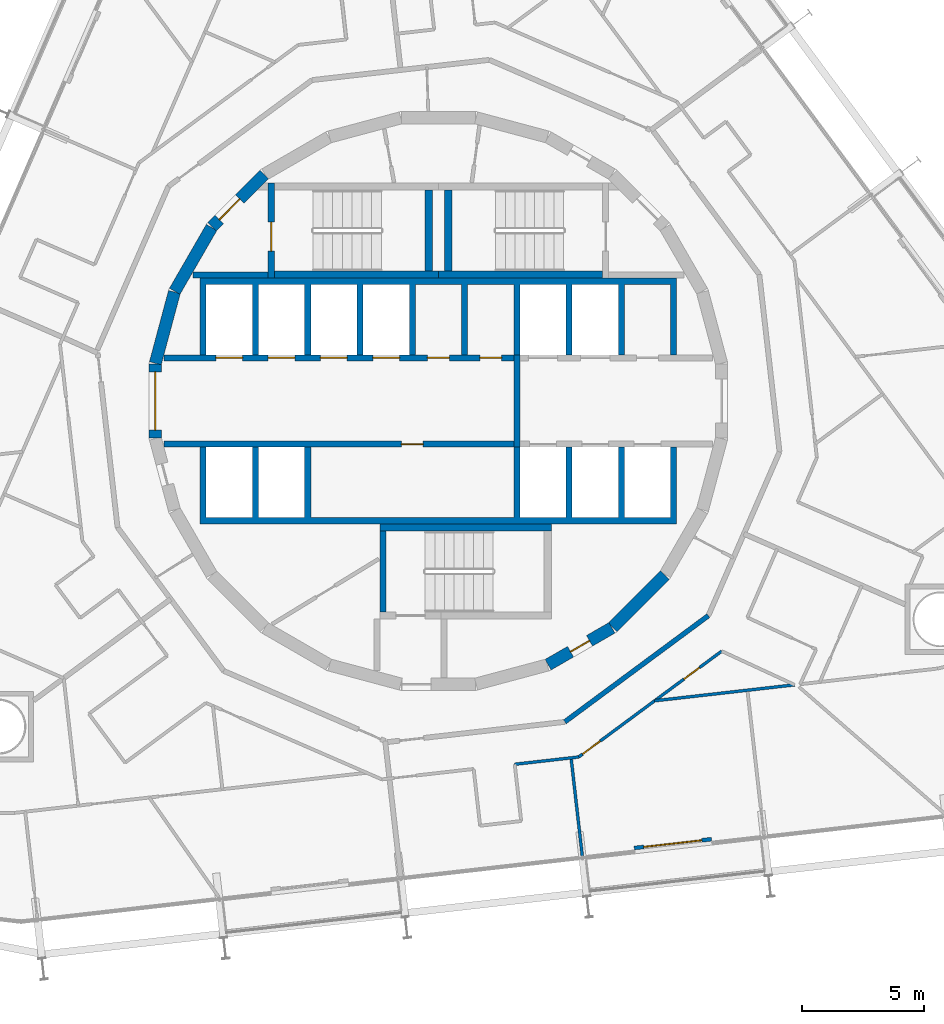
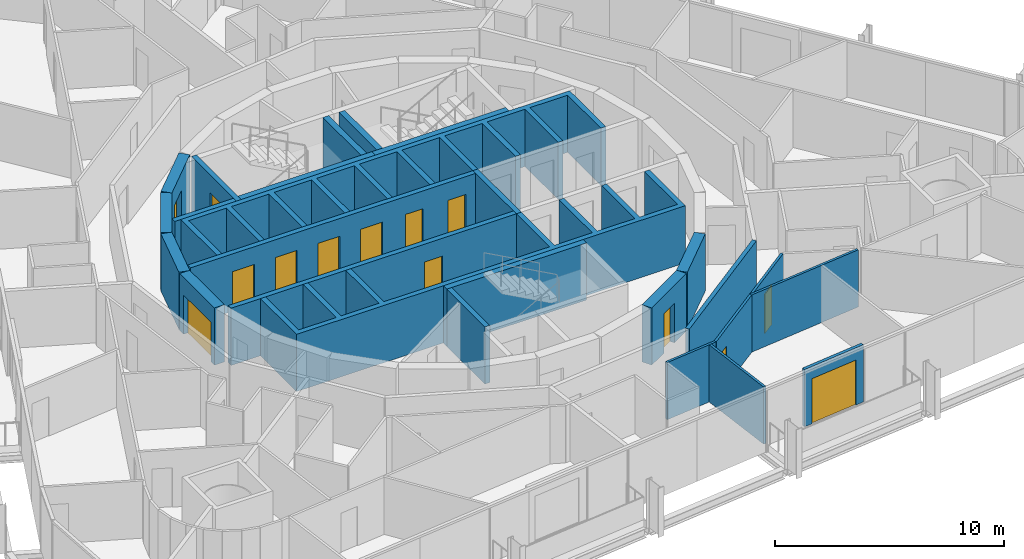
# One storey, part 18 of 23: 25 walls, 14 doors, 14 openings.
"""IFC4 building model written with IfcOpenShell, lengths in metres."""

from ifc_helpers import new_model, si_unit, direction, frame, frame_2d, origin, place, context, subcontext, project, spatial, polyline, rectangle, outline, extrude, material, layer, layer_set, type_object, element, fill, save


model = new_model("IFC4")

# Units and contexts
model_context = context("Model", 3, precision=1e-05, world=origin(), true_north=direction((0.0, 1.0)))
body_context = subcontext(model_context, "Body", "Model", "MODEL_VIEW")
ifc_project = project(units=[si_unit("LENGTHUNIT", "METRE"), si_unit("AREAUNIT", "SQUARE_METRE"), si_unit("VOLUMEUNIT", "CUBIC_METRE"), si_unit("PLANEANGLEUNIT", "RADIAN"), si_unit("MASSUNIT", "GRAM", prefix="KILO")], contexts=[model_context])

# Site, building, storey
site_placement = place(None, origin())
site = spatial("IfcSite", under=ifc_project, at=site_placement, CompositionType="ELEMENT")
building_placement = place(site_placement, origin())
building = spatial("IfcBuilding", under=site, at=building_placement, Name="Spindle Arch Residences", CompositionType="ELEMENT")
storey_placement = place(building_placement, frame((0.0, 0.0, 104.699951171875)))
storey = spatial("IfcBuildingStorey", under=building, at=storey_placement, Name="L25", CompositionType="ELEMENT", Elevation=104.699951171875)

# Wall, opening, door
ifc_material_1 = material(Name="Concrete C50/60", Category="concrete")
ifc_layer_1 = layer(ifc_material_1, 0.5)
ifc_layer_set_1 = layer_set([ifc_layer_1], Name="Core outline wall 500")
wall_type_1 = type_object("IfcWallType", Name="Core outline wall 500", PredefinedType="SHEAR", material=ifc_layer_set_1)
wall_1_placement = place(storey_placement, frame((4.510498046875, -10.84521484375, 0.0), z_axis=(0.0, 0.0, 1.0), x_axis=(0.865975092491, 0.500087131594, 0.0)))
wall_1 = element("IfcWall", 1, at=wall_1_placement, inside=storey, type_object=wall_type_1, Name="Core outline wall 2", PredefinedType="SHEAR", context=body_context, shape_type="SweptSolid", body=[
    extrude(rectangle(XDim=3.03271484375, YDim=0.5, at=frame_2d((1.516357421875, 0.0))), origin(), (0.0, 0.0, 1.0), 3.050048828125),
])
opening_1_placement = place(wall_1_placement, frame((1.06640625, 0.0, 0.0)))
opening_1 = element("IfcOpeningElement", 2, at=opening_1_placement, cuts=wall_1, Name="Opening R2C0-WD08", PredefinedType="OPENING", context=body_context, shape_type="SweptSolid", body=[
    extrude(rectangle(XDim=0.89990234375, YDim=2.10009765625, at=frame_2d((0.449951171875, 1.050048828125))), frame((0.0, 0.260009765625, 0.0), z_axis=(0.0, -1.0, 0.0), x_axis=(1.0, 0.0, 0.0)), (0.0, 0.0, 1.0), 0.52001953125),
])
ifc_material_2 = material(Name="Steel, fire-resisting door", Category="steel")
door_type_1 = type_object("IfcDoorType", Name="Service room door 900x2100", OperationType="SINGLE_SWING_LEFT", PredefinedType="DOOR", material=ifc_material_2)
door_1_placement = place(opening_1_placement, origin())
door_1 = element("IfcDoor", 3, at=door_1_placement, inside=storey, type_object=door_type_1, Name="Service room door R2C0-WD08", OperationType="SINGLE_SWING_LEFT", OverallHeight=2.10009765625, OverallWidth=0.89990234375, PredefinedType="DOOR", context=body_context, shape_type="SweptSolid", body=[
    extrude(rectangle(XDim=0.89990234375, YDim=2.10009765625, at=frame_2d((0.449951171875, 1.050048828125))), frame((0.0, 0.02490234375, 0.0), z_axis=(0.0, -1.0, 0.0), x_axis=(1.0, 0.0, 0.0)), (0.0, 0.0, 1.0), 0.050048828125),
])
fill(opening_1, door_1)

# Wall
wall_2_placement = place(storey_placement, frame((7.163818359375, -9.30810546875, 0.0), z_axis=(0.0, 0.0, 1.0), x_axis=(0.707106781187, 0.707106781187, 0.0)))
element("IfcWall", 4, at=wall_2_placement, inside=storey, type_object=wall_type_1, Name="Core outline wall 3", PredefinedType="SHEAR", context=body_context, shape_type="SweptSolid", body=[
    extrude(rectangle(XDim=3.032470703125, YDim=0.5, at=frame_2d((1.51611328125, 0.0))), origin(), (0.0, 0.0, 1.0), 3.050048828125),
])

# Wall, opening, door
wall_3_placement = place(storey_placement, frame((-7.163818359375, 9.30810546875, 0.0), z_axis=(0.0, 0.0, 1.0), x_axis=(-0.707106781187, -0.707106781187, 0.0)))
wall_3 = element("IfcWall", 5, at=wall_3_placement, inside=storey, type_object=wall_type_1, Name="Core outline wall 15", PredefinedType="SHEAR", context=body_context, shape_type="SweptSolid", body=[
    extrude(rectangle(XDim=3.032470703125, YDim=0.5, at=frame_2d((1.51611328125, 0.0))), origin(), (0.0, 0.0, 1.0), 3.050048828125),
])
opening_2_placement = place(wall_3_placement, frame((1.416259765625, 0.0, 0.0)))
opening_2 = element("IfcOpeningElement", 6, at=opening_2_placement, cuts=wall_3, Name="Opening R2C0-AD02", PredefinedType="OPENING", context=body_context, shape_type="SweptSolid", body=[
    extrude(rectangle(XDim=1.199951171875, YDim=2.10009765625, at=frame_2d((0.60009765625, 1.050048828125))), frame((0.0, 0.260009765625, 0.0), z_axis=(0.0, -1.0, 0.0), x_axis=(1.0, 0.0, 0.0)), (0.0, 0.0, 1.0), 0.52001953125),
])
ifc_material_3 = material(Name="Steel, fire-resisting door", Category="steel")
door_type_2 = type_object("IfcDoorType", Name="Stair airlock door 1200x2100", OperationType="SINGLE_SWING_LEFT", PredefinedType="DOOR", material=ifc_material_3)
door_2_placement = place(opening_2_placement, origin())
door_2 = element("IfcDoor", 7, at=door_2_placement, inside=storey, type_object=door_type_2, Name="Stair airlock door R2C0-AD02", OperationType="SINGLE_SWING_RIGHT", OverallHeight=2.10009765625, OverallWidth=1.199951171875, PredefinedType="DOOR", context=body_context, shape_type="SweptSolid", body=[
    extrude(rectangle(XDim=1.199951171875, YDim=2.10009765625, at=frame_2d((0.60009765625, 1.050048828125))), frame((0.0, 0.02490234375, 0.0), z_axis=(0.0, -1.0, 0.0), x_axis=(1.0, 0.0, 0.0)), (0.0, 0.0, 1.0), 0.050048828125),
])
fill(opening_2, door_2)

# Walls
for number, where, z_axis, x_axis, name in (
    (8, (-9.32861328125, 7.13671875, 0.0), (0.0, 0.0, 1.0), (-0.500087131594, -0.865975092491, 0.0), "Core outline wall 16"),
    (9, (-10.858154296875, 4.479248046875, 0.0), (0.0, 0.0, 1.0), (-0.258734743916, -0.965948410781, 0.0), "Core outline wall 17"),
):
    element("IfcWall", number, at=place(storey_placement, frame(where, z_axis=z_axis, x_axis=x_axis)), inside=storey, type_object=wall_type_1, Name=name, PredefinedType="SHEAR", context=body_context, shape_type="SweptSolid", body=[
        extrude(rectangle(XDim=3.03271484375, YDim=0.5, at=frame_2d((1.516357421875, 0.0))), origin(), (0.0, 0.0, 1.0), 3.050048828125),
    ])

# Wall, opening, door
wall_4_placement = place(storey_placement, frame((-11.647216796875, 1.516357421875, 0.0), z_axis=(0.0, 0.0, 1.0), x_axis=(0.0, -1.0, 0.0)))
wall_4 = element("IfcWall", 10, at=wall_4_placement, inside=storey, type_object=wall_type_1, Name="Core outline wall 18", PredefinedType="SHEAR", context=body_context, shape_type="SweptSolid", body=[
    extrude(rectangle(XDim=3.03271484375, YDim=0.5, at=frame_2d((1.516357421875, 0.0))), origin(), (0.0, 0.0, 1.0), 3.050048828125),
])
opening_3_placement = place(wall_4_placement, frame((0.31640625, 0.0, 0.0)))
opening_3 = element("IfcOpeningElement", 11, at=opening_3_placement, cuts=wall_4, Name="Opening R2C0-LE01", PredefinedType="OPENING", context=body_context, shape_type="SweptSolid", body=[
    extrude(rectangle(XDim=2.39990234375, YDim=2.10009765625, at=frame_2d((1.199951171875, 1.050048828125))), frame((0.0, 0.260009765625, 0.0), z_axis=(0.0, -1.0, 0.0), x_axis=(1.0, 0.0, 0.0)), (0.0, 0.0, 1.0), 0.52001953125),
])
ifc_material_4 = material(Name="Steel, fire-resisting door", Category="steel")
door_type_3 = type_object("IfcDoorType", Name="Lift lobby entrance door 2400x2100", OperationType="DOUBLE_DOOR_SINGLE_SWING", PredefinedType="DOOR", material=ifc_material_4)
door_3_placement = place(opening_3_placement, origin())
door_3 = element("IfcDoor", 12, at=door_3_placement, inside=storey, type_object=door_type_3, Name="Lift lobby entrance door R2C0-LE01", OperationType="DOUBLE_DOOR_SINGLE_SWING", OverallHeight=2.10009765625, OverallWidth=2.39990234375, PredefinedType="DOOR", context=body_context, shape_type="SweptSolid", body=[
    extrude(rectangle(XDim=2.39990234375, YDim=2.10009765625, at=frame_2d((1.199951171875, 1.050048828125))), frame((0.0, 0.02490234375, 0.0), z_axis=(0.0, -1.0, 0.0), x_axis=(1.0, 0.0, 0.0)), (0.0, 0.0, 1.0), 0.050048828125),
])
fill(opening_3, door_3)

# Walls
ifc_material_5 = material(Name="Calcium silicate block, plastered")
ifc_layer_2 = layer(ifc_material_5, 0.199951171875)
ifc_layer_set_2 = layer_set([ifc_layer_2], Name="Corridor wall 200")
wall_type_2 = type_object("IfcWallType", Name="Corridor wall 200", PredefinedType="STANDARD", material=ifc_layer_set_2)
wall_5_placement = place(storey_placement, frame((5.1982421875, -13.1962890625, 0.0), z_axis=(0.0, 0.0, 1.0), x_axis=(0.803869883159, 0.594805187394, 0.0)))
element("IfcWall", 13, at=wall_5_placement, inside=storey, type_object=wall_type_2, Name="Corridor wall R2C0-W015", PredefinedType="STANDARD", context=body_context, shape_type="SweptSolid", body=[
    extrude(rectangle(XDim=7.341796875, YDim=0.199951171875, at=frame_2d((3.6708984375, 0.0))), origin(), (0.0, 0.0, 1.0), 3.050048828125),
])
ifc_material_6 = material(Name="Concrete C40/50", Category="concrete")
ifc_layer_3 = layer(ifc_material_6, 0.25)
ifc_layer_set_3 = layer_set([ifc_layer_3], Name="Fire-lift lobby wall 250")
wall_type_3 = type_object("IfcWallType", Name="Fire-lift lobby wall 250", PredefinedType="SHEAR", material=ifc_layer_set_3)
wall_6_placement = place(storey_placement, frame((3.22509765625, -1.89990234375, 0.0), z_axis=(0.0, 0.0, 1.0), x_axis=(0.0, 1.0, 0.0)))
element("IfcWall", 14, at=wall_6_placement, inside=storey, type_object=wall_type_3, Name="Fire-fighting lobby partition", PredefinedType="SHEAR", context=body_context, shape_type="SweptSolid", body=[
    extrude(rectangle(XDim=3.7998046875, YDim=0.25, at=frame_2d((1.89990234375, 0.0))), origin(), (0.0, 0.0, 1.0), 3.050048828125),
])
ifc_material_7 = material(Name="Plasterboard on steel studs", Category="steel")
ifc_layer_4 = layer(ifc_material_7, 0.1201171875)
ifc_layer_set_4 = layer_set([ifc_layer_4], Name="Flat partition 120")
wall_type_4 = type_object("IfcWallType", Name="Flat partition 120", PredefinedType="PARTITIONING", material=ifc_layer_set_4)
wall_7_placement = place(storey_placement, frame((3.1376953125, -14.94091796875, 0.0), z_axis=(0.0, 0.0, 1.0), x_axis=(0.99356355736, 0.113276023437, 0.0)))
element("IfcWall", 15, at=wall_7_placement, inside=storey, type_object=wall_type_4, Name="Flat partition R2C0-W116", PredefinedType="PARTITIONING", context=body_context, shape_type="SweptSolid", body=[
    extrude(rectangle(XDim=2.646728515625, YDim=0.1201171875, at=frame_2d((1.3232421875, 0.0))), origin(), (0.0, 0.0, 1.0), 3.050048828125),
])

# Wall, openings, doors
wall_8_placement = place(storey_placement, frame((5.767333984375, -14.64111328125, 0.0), z_axis=(0.0, 0.0, 1.0), x_axis=(0.803867427863, 0.594808505673, 0.0)))
wall_8 = element("IfcWall", 16, at=wall_8_placement, inside=storey, type_object=wall_type_4, Name="Flat partition R2C0-W117", PredefinedType="PARTITIONING", context=body_context, shape_type="SweptSolid", body=[
    extrude(rectangle(XDim=7.31640625, YDim=0.1201171875, at=frame_2d((3.658203125, 0.0))), origin(), (0.0, 0.0, 1.0), 3.050048828125),
])
opening_4_placement = place(wall_8_placement, frame((0.199951171875, 0.0, 0.0)))
opening_4 = element("IfcOpeningElement", 17, at=opening_4_placement, cuts=wall_8, Name="Opening R2C0-ID33", PredefinedType="OPENING", context=body_context, shape_type="SweptSolid", body=[
    extrude(rectangle(XDim=0.89990234375, YDim=2.10009765625, at=frame_2d((0.449951171875, 1.050048828125))), frame((0.0, 0.070068359375, 0.0), z_axis=(0.0, -1.0, 0.0), x_axis=(1.0, 0.0, 0.0)), (0.0, 0.0, 1.0), 0.14013671875),
])
opening_5_placement = place(wall_8_placement, frame((5.385009765625, 0.0, 0.0)))
opening_5 = element("IfcOpeningElement", 18, at=opening_5_placement, cuts=wall_8, Name="Opening R2C0-BD06", PredefinedType="OPENING", context=body_context, shape_type="SweptSolid", body=[
    extrude(rectangle(XDim=0.800048828125, YDim=2.10009765625, at=frame_2d((0.39990234375, 1.050048828125))), frame((0.0, 0.070068359375, 0.0), z_axis=(0.0, -1.0, 0.0), x_axis=(1.0, 0.0, 0.0)), (0.0, 0.0, 1.0), 0.14013671875),
])
ifc_material_8 = material(Name="Timber door set", Category="wood")
door_type_4 = type_object("IfcDoorType", Name="Bathroom door 800x2100", OperationType="NOTDEFINED", PredefinedType="DOOR", material=ifc_material_8)
door_4_placement = place(opening_5_placement, origin())
door_4 = element("IfcDoor", 19, at=door_4_placement, inside=storey, type_object=door_type_4, Name="Bathroom door R2C0-BD06", OperationType="SINGLE_SWING_RIGHT", OverallHeight=2.10009765625, OverallWidth=0.800048828125, PredefinedType="DOOR", context=body_context, shape_type="SweptSolid", body=[
    extrude(rectangle(XDim=0.800048828125, YDim=2.10009765625, at=frame_2d((0.39990234375, 1.050048828125))), frame((0.0, 0.02490234375, 0.0), z_axis=(0.0, -1.0, 0.0), x_axis=(1.0, 0.0, 0.0)), (0.0, 0.0, 1.0), 0.050048828125),
])
fill(opening_5, door_4)
ifc_material_9 = material(Name="Timber door set", Category="wood")
door_type_5 = type_object("IfcDoorType", Name="Room door 900x2100", OperationType="NOTDEFINED", PredefinedType="DOOR", material=ifc_material_9)
door_5_placement = place(opening_4_placement, origin())
door_5 = element("IfcDoor", 20, at=door_5_placement, inside=storey, type_object=door_type_5, Name="Room door R2C0-ID33", OperationType="SINGLE_SWING_RIGHT", OverallHeight=2.10009765625, OverallWidth=0.89990234375, PredefinedType="DOOR", context=body_context, shape_type="SweptSolid", body=[
    extrude(rectangle(XDim=0.89990234375, YDim=2.10009765625, at=frame_2d((0.449951171875, 1.050048828125))), frame((0.0, 0.02490234375, 0.0), z_axis=(0.0, -1.0, 0.0), x_axis=(1.0, 0.0, 0.0)), (0.0, 0.0, 1.0), 0.050048828125),
])
fill(opening_4, door_5)

# Walls
wall_9_placement = place(storey_placement, frame((5.915283203125, -18.7080078125, 0.0), z_axis=(0.0, 0.0, 1.0), x_axis=(-0.113244511591, 0.993567149515, 0.0)))
element("IfcWall", 21, at=wall_9_placement, inside=storey, type_object=wall_type_4, Name="Flat partition R2C0-W122", PredefinedType="PARTITIONING", context=body_context, shape_type="SweptSolid", body=[
    extrude(rectangle(XDim=4.057373046875, YDim=0.1201171875, at=frame_2d((2.02880859375, 0.0))), origin(), (0.0, 0.0, 1.0), 3.050048828125),
])
wall_10_placement = place(storey_placement, frame((14.64892578125, -11.67431640625, 0.0), z_axis=(0.0, 0.0, 1.0), x_axis=(-0.993573746873, -0.113186613721, 0.0)))
element("IfcWall", 22, at=wall_10_placement, inside=storey, type_object=wall_type_4, Name="Flat partition R2C0-W123", PredefinedType="PARTITIONING", context=body_context, shape_type="SweptSolid", body=[
    extrude(rectangle(XDim=5.7958984375, YDim=0.1201171875, at=frame_2d((2.89794921875, 0.0))), origin(), (0.0, 0.0, 1.0), 3.050048828125),
])

# Wall, opening, door
ifc_material_10 = material(Name="Non-combustible mineral wool insulated aluminium faced external wall (K0)", Category="aluminium")
ifc_layer_5 = layer(ifc_material_10, 0.159912109375)
ifc_layer_set_5 = layer_set([ifc_layer_5], Name="Insulated external wall panel 160")
wall_type_5 = type_object("IfcWallType", Name="Insulated external wall panel 160", PredefinedType="STANDARD", material=ifc_layer_set_5)
wall_11_placement = place(storey_placement, frame((8.0517578125, -18.38427734375, 0.0), z_axis=(0.0, 0.0, 1.0), x_axis=(0.993569997097, 0.113219525124, 0.0)))
wall_11 = element("IfcWall", 23, at=wall_11_placement, inside=storey, type_object=wall_type_5, Name="External wall L25 bay 1", PredefinedType="STANDARD", context=body_context, shape_type="SweptSolid", body=[
    extrude(rectangle(XDim=3.199951171875, YDim=0.159912109375, at=frame_2d((1.60009765625, 0.0))), origin(), (0.0, 0.0, 1.0), 3.050048828125),
])
opening_6_placement = place(wall_11_placement, frame((0.39990234375, 0.0, 0.0)))
opening_6 = element("IfcOpeningElement", 24, at=opening_6_placement, cuts=wall_11, Name="Opening BD01", PredefinedType="OPENING", context=body_context, shape_type="SweptSolid", body=[
    extrude(rectangle(XDim=2.39990234375, YDim=2.39990234375, at=frame_2d((1.199951171875, 1.199951171875))), frame((0.0, 0.08984375, 0.0), z_axis=(0.0, -1.0, 0.0), x_axis=(1.0, 0.0, 0.0)), (0.0, 0.0, 1.0), 0.179931640625),
])
ifc_material_11 = material(Name="Bronze aluminium frame, tinted double glazing", Category="aluminium")
door_type_6 = type_object("IfcDoorType", Name="Sliding glazed balcony door 2400x2400", OperationType="DOUBLE_DOOR_SLIDING", PredefinedType="DOOR", material=ifc_material_11)
door_6_placement = place(opening_6_placement, origin())
door_6 = element("IfcDoor", 25, at=door_6_placement, inside=storey, type_object=door_type_6, Name="Balcony door BD01", OperationType="DOUBLE_DOOR_SLIDING", OverallHeight=2.39990234375, OverallWidth=2.39990234375, PredefinedType="DOOR", context=body_context, shape_type="SweptSolid", body=[
    extrude(rectangle(XDim=2.39990234375, YDim=2.39990234375, at=frame_2d((1.199951171875, 1.199951171875))), frame((0.0, 0.02490234375, 0.0), z_axis=(0.0, -1.0, 0.0), x_axis=(1.0, 0.0, 0.0)), (0.0, 0.0, 1.0), 0.050048828125),
])
fill(opening_6, door_6)

# Wall, openings, doors
ifc_material_12 = material(Name="Concrete C50/60", Category="concrete")
ifc_layer_6 = layer(ifc_material_12, 0.25)
ifc_layer_set_6 = layer_set([ifc_layer_6], Name="Lift shaft wall 250")
wall_type_6 = type_object("IfcWallType", Name="Lift shaft wall 250", PredefinedType="SHEAR", material=ifc_layer_set_6)
wall_12_placement = place(storey_placement, frame((-11.280029296875, 1.77490234375, 0.0), z_axis=(0.0, 0.0, 1.0), x_axis=(1.0, 0.0, 0.0)))
wall_12 = element("IfcWall", 26, at=wall_12_placement, inside=storey, type_object=wall_type_6, Name="Lift shaft front wall NW", PredefinedType="SHEAR", context=body_context, shape_type="SweptSolid", body=[
    extrude(rectangle(XDim=14.380126953125, YDim=0.25, at=frame_2d((7.18994140625, 0.0))), origin(), (0.0, 0.0, 1.0), 3.050048828125),
])
opening_7_placement = place(wall_12_placement, frame((2.1298828125, 0.0, 0.0)))
opening_7 = element("IfcOpeningElement", 27, at=opening_7_placement, cuts=wall_12, Name="Opening R2C0-LD01", PredefinedType="OPENING", context=body_context, shape_type="SweptSolid", body=[
    extrude(rectangle(XDim=1.10009765625, YDim=2.10009765625, at=frame_2d((0.550048828125, 1.050048828125))), frame((0.0, 0.135009765625, 0.0), z_axis=(0.0, -1.0, 0.0), x_axis=(1.0, 0.0, 0.0)), (0.0, 0.0, 1.0), 0.27001953125),
])
opening_8_placement = place(wall_12_placement, frame((4.280029296875, 0.0, 0.0)))
opening_8 = element("IfcOpeningElement", 28, at=opening_8_placement, cuts=wall_12, Name="Opening R2C0-LD02", PredefinedType="OPENING", context=body_context, shape_type="SweptSolid", body=[
    extrude(rectangle(XDim=1.10009765625, YDim=2.10009765625, at=frame_2d((0.550048828125, 1.050048828125))), frame((0.0, 0.135009765625, 0.0), z_axis=(0.0, -1.0, 0.0), x_axis=(1.0, 0.0, 0.0)), (0.0, 0.0, 1.0), 0.27001953125),
])
opening_9_placement = place(wall_12_placement, frame((6.429931640625, 0.0, 0.0)))
opening_9 = element("IfcOpeningElement", 29, at=opening_9_placement, cuts=wall_12, Name="Opening R2C0-LD03", PredefinedType="OPENING", context=body_context, shape_type="SweptSolid", body=[
    extrude(rectangle(XDim=1.10009765625, YDim=2.10009765625, at=frame_2d((0.550048828125, 1.050048828125))), frame((0.0, 0.135009765625, 0.0), z_axis=(0.0, -1.0, 0.0), x_axis=(1.0, 0.0, 0.0)), (0.0, 0.0, 1.0), 0.27001953125),
])
opening_10_placement = place(wall_12_placement, frame((8.580078125, 0.0, 0.0)))
opening_10 = element("IfcOpeningElement", 30, at=opening_10_placement, cuts=wall_12, Name="Opening R2C0-LD04", PredefinedType="OPENING", context=body_context, shape_type="SweptSolid", body=[
    extrude(rectangle(XDim=1.10009765625, YDim=2.10009765625, at=frame_2d((0.550048828125, 1.050048828125))), frame((0.0, 0.135009765625, 0.0), z_axis=(0.0, -1.0, 0.0), x_axis=(1.0, 0.0, 0.0)), (0.0, 0.0, 1.0), 0.27001953125),
])
opening_11_placement = place(wall_12_placement, frame((10.830078125, 0.0, 0.0)))
opening_11 = element("IfcOpeningElement", 31, at=opening_11_placement, cuts=wall_12, Name="Opening R2C0-WD01", PredefinedType="OPENING", context=body_context, shape_type="SweptSolid", body=[
    extrude(rectangle(XDim=0.89990234375, YDim=2.10009765625, at=frame_2d((0.449951171875, 1.050048828125))), frame((0.0, 0.135009765625, 0.0), z_axis=(0.0, -1.0, 0.0), x_axis=(1.0, 0.0, 0.0)), (0.0, 0.0, 1.0), 0.27001953125),
])
opening_12_placement = place(wall_12_placement, frame((12.97998046875, 0.0, 0.0)))
opening_12 = element("IfcOpeningElement", 32, at=opening_12_placement, cuts=wall_12, Name="Opening R2C0-WD02", PredefinedType="OPENING", context=body_context, shape_type="SweptSolid", body=[
    extrude(rectangle(XDim=0.89990234375, YDim=2.10009765625, at=frame_2d((0.449951171875, 1.050048828125))), frame((0.0, 0.135009765625, 0.0), z_axis=(0.0, -1.0, 0.0), x_axis=(1.0, 0.0, 0.0)), (0.0, 0.0, 1.0), 0.27001953125),
])
ifc_material_13 = material(Name="Steel, fire-resisting landing door", Category="steel")
door_type_7 = type_object("IfcDoorType", Name="Lift landing door 1100x2100", OperationType="DOUBLE_DOOR_SLIDING", PredefinedType="DOOR", material=ifc_material_13)
door_7_placement = place(opening_7_placement, origin())
door_7 = element("IfcDoor", 33, at=door_7_placement, inside=storey, type_object=door_type_7, Name="Lift landing door R2C0-LD01", OperationType="DOUBLE_DOOR_SLIDING", OverallHeight=2.10009765625, OverallWidth=1.10009765625, PredefinedType="DOOR", context=body_context, shape_type="SweptSolid", body=[
    extrude(rectangle(XDim=1.10009765625, YDim=2.10009765625, at=frame_2d((0.550048828125, 1.050048828125))), frame((0.0, 0.02490234375, 0.0), z_axis=(0.0, -1.0, 0.0), x_axis=(1.0, 0.0, 0.0)), (0.0, 0.0, 1.0), 0.050048828125),
])
fill(opening_7, door_7)
door_8_placement = place(opening_8_placement, origin())
door_8 = element("IfcDoor", 34, at=door_8_placement, inside=storey, type_object=door_type_7, Name="Lift landing door R2C0-LD02", OperationType="DOUBLE_DOOR_SLIDING", OverallHeight=2.10009765625, OverallWidth=1.10009765625, PredefinedType="DOOR", context=body_context, shape_type="SweptSolid", body=[
    extrude(rectangle(XDim=1.10009765625, YDim=2.10009765625, at=frame_2d((0.550048828125, 1.050048828125))), frame((0.0, 0.02490234375, 0.0), z_axis=(0.0, -1.0, 0.0), x_axis=(1.0, 0.0, 0.0)), (0.0, 0.0, 1.0), 0.050048828125),
])
fill(opening_8, door_8)
door_9_placement = place(opening_9_placement, origin())
door_9 = element("IfcDoor", 35, at=door_9_placement, inside=storey, type_object=door_type_7, Name="Lift landing door R2C0-LD03", OperationType="DOUBLE_DOOR_SLIDING", OverallHeight=2.10009765625, OverallWidth=1.10009765625, PredefinedType="DOOR", context=body_context, shape_type="SweptSolid", body=[
    extrude(rectangle(XDim=1.10009765625, YDim=2.10009765625, at=frame_2d((0.550048828125, 1.050048828125))), frame((0.0, 0.02490234375, 0.0), z_axis=(0.0, -1.0, 0.0), x_axis=(1.0, 0.0, 0.0)), (0.0, 0.0, 1.0), 0.050048828125),
])
fill(opening_9, door_9)
door_10_placement = place(opening_10_placement, origin())
door_10 = element("IfcDoor", 36, at=door_10_placement, inside=storey, type_object=door_type_7, Name="Lift landing door R2C0-LD04", OperationType="DOUBLE_DOOR_SLIDING", OverallHeight=2.10009765625, OverallWidth=1.10009765625, PredefinedType="DOOR", context=body_context, shape_type="SweptSolid", body=[
    extrude(rectangle(XDim=1.10009765625, YDim=2.10009765625, at=frame_2d((0.550048828125, 1.050048828125))), frame((0.0, 0.02490234375, 0.0), z_axis=(0.0, -1.0, 0.0), x_axis=(1.0, 0.0, 0.0)), (0.0, 0.0, 1.0), 0.050048828125),
])
fill(opening_10, door_10)
door_11_placement = place(opening_11_placement, origin())
door_11 = element("IfcDoor", 37, at=door_11_placement, inside=storey, type_object=door_type_1, Name="Service room door R2C0-WD01", OperationType="SINGLE_SWING_RIGHT", OverallHeight=2.10009765625, OverallWidth=0.89990234375, PredefinedType="DOOR", context=body_context, shape_type="SweptSolid", body=[
    extrude(rectangle(XDim=0.89990234375, YDim=2.10009765625, at=frame_2d((0.449951171875, 1.050048828125))), frame((0.0, 0.02490234375, 0.0), z_axis=(0.0, -1.0, 0.0), x_axis=(1.0, 0.0, 0.0)), (0.0, 0.0, 1.0), 0.050048828125),
])
fill(opening_11, door_11)
door_12_placement = place(opening_12_placement, origin())
door_12 = element("IfcDoor", 38, at=door_12_placement, inside=storey, type_object=door_type_1, Name="Service room door R2C0-WD02", OperationType="SINGLE_SWING_LEFT", OverallHeight=2.10009765625, OverallWidth=0.89990234375, PredefinedType="DOOR", context=body_context, shape_type="SweptSolid", body=[
    extrude(rectangle(XDim=0.89990234375, YDim=2.10009765625, at=frame_2d((0.449951171875, 1.050048828125))), frame((0.0, 0.02490234375, 0.0), z_axis=(0.0, -1.0, 0.0), x_axis=(1.0, 0.0, 0.0)), (0.0, 0.0, 1.0), 0.050048828125),
])
fill(opening_12, door_12)

# Wall, opening, door
wall_13_placement = place(storey_placement, frame((-11.280029296875, -1.77490234375, 0.0), z_axis=(0.0, 0.0, 1.0), x_axis=(1.0, 0.0, 0.0)))
wall_13 = element("IfcWall", 39, at=wall_13_placement, inside=storey, type_object=wall_type_6, Name="Lift shaft front wall SW", PredefinedType="SHEAR", context=body_context, shape_type="SweptSolid", body=[
    extrude(rectangle(XDim=14.380126953125, YDim=0.25, at=frame_2d((7.18994140625, 0.0))), origin(), (0.0, 0.0, 1.0), 3.050048828125),
])
opening_13_placement = place(wall_13_placement, frame((9.7548828125, 0.0, 0.0)))
opening_13 = element("IfcOpeningElement", 40, at=opening_13_placement, cuts=wall_13, Name="Opening R2C0-WD04", PredefinedType="OPENING", context=body_context, shape_type="SweptSolid", body=[
    extrude(rectangle(XDim=0.89990234375, YDim=2.10009765625, at=frame_2d((0.449951171875, 1.050048828125))), frame((0.0, 0.135009765625, 0.0), z_axis=(0.0, -1.0, 0.0), x_axis=(1.0, 0.0, 0.0)), (0.0, 0.0, 1.0), 0.27001953125),
])
door_13_placement = place(opening_13_placement, origin())
door_13 = element("IfcDoor", 41, at=door_13_placement, inside=storey, type_object=door_type_1, Name="Service room door R2C0-WD04", OperationType="SINGLE_SWING_LEFT", OverallHeight=2.10009765625, OverallWidth=0.89990234375, PredefinedType="DOOR", context=body_context, shape_type="SweptSolid", body=[
    extrude(rectangle(XDim=0.89990234375, YDim=2.10009765625, at=frame_2d((0.449951171875, 1.050048828125))), frame((0.0, 0.02490234375, 0.0), z_axis=(0.0, -1.0, 0.0), x_axis=(1.0, 0.0, 0.0)), (0.0, 0.0, 1.0), 0.050048828125),
])
fill(opening_13, door_13)

# Walls
ifc_material_14 = material(Name="Concrete C50/60", Category="concrete")
wall_type_7 = type_object("IfcWallType", Name="Lift shaft wall profile", PredefinedType="SHEAR", material=ifc_material_14)
wall_14_placement = place(storey_placement, origin())
element("IfcWall", 42, at=wall_14_placement, inside=storey, type_object=wall_type_7, Name="Lift shaft walls N", PredefinedType="SHEAR", context=body_context, shape_type="SweptSolid", body=[
    extrude(outline(polyline([(-9.550048828125, 4.800048828125), (-7.64990234375, 4.800048828125), (-7.64990234375, 1.89990234375), (-7.39990234375, 1.89990234375), (-7.39990234375, 4.800048828125), (-5.5, 4.800048828125), (-5.5, 1.89990234375), (-5.25, 1.89990234375), (-5.25, 4.800048828125), (-3.35009765625, 4.800048828125), (-3.35009765625, 1.89990234375), (-3.10009765625, 1.89990234375), (-3.10009765625, 4.800048828125), (-1.199951171875, 4.800048828125), (-1.199951171875, 1.89990234375), (-0.949951171875, 1.89990234375), (-0.949951171875, 4.800048828125), (0.949951171875, 4.800048828125), (0.949951171875, 1.89990234375), (1.199951171875, 1.89990234375), (1.199951171875, 4.800048828125), (3.10009765625, 4.800048828125), (3.10009765625, 1.89990234375), (3.35009765625, 1.89990234375), (3.35009765625, 4.800048828125), (5.25, 4.800048828125), (5.25, 1.89990234375), (5.5, 1.89990234375), (5.5, 4.800048828125), (7.39990234375, 4.800048828125), (7.39990234375, 1.89990234375), (7.64990234375, 1.89990234375), (7.64990234375, 4.800048828125), (9.550048828125, 4.800048828125), (9.550048828125, 1.89990234375), (9.800048828125, 1.89990234375), (9.800048828125, 4.800048828125), (9.800048828125, 5.050048828125), (-9.800048828125, 5.050048828125), (-9.800048828125, 4.800048828125), (-9.800048828125, 1.89990234375), (-9.550048828125, 1.89990234375), (-9.550048828125, 4.800048828125)])), origin(), (0.0, 0.0, 1.0), 3.050048828125),
])
wall_15_placement = place(storey_placement, origin())
element("IfcWall", 43, at=wall_15_placement, inside=storey, type_object=wall_type_7, Name="Lift shaft walls S", PredefinedType="SHEAR", context=body_context, shape_type="SweptSolid", body=[
    extrude(outline(polyline([(9.800048828125, -5.050048828125), (9.800048828125, -4.800048828125), (9.800048828125, -1.89990234375), (9.550048828125, -1.89990234375), (9.550048828125, -4.800048828125), (7.64990234375, -4.800048828125), (7.64990234375, -1.89990234375), (7.39990234375, -1.89990234375), (7.39990234375, -4.800048828125), (5.5, -4.800048828125), (5.5, -1.89990234375), (5.25, -1.89990234375), (5.25, -4.800048828125), (3.35009765625, -4.800048828125), (3.35009765625, -1.89990234375), (3.10009765625, -1.89990234375), (3.10009765625, -4.800048828125), (-5.25, -4.800048828125), (-5.25, -1.89990234375), (-5.5, -1.89990234375), (-5.5, -4.800048828125), (-7.39990234375, -4.800048828125), (-7.39990234375, -1.89990234375), (-7.64990234375, -1.89990234375), (-7.64990234375, -4.800048828125), (-9.550048828125, -4.800048828125), (-9.550048828125, -1.89990234375), (-9.800048828125, -1.89990234375), (-9.800048828125, -4.800048828125), (-9.800048828125, -5.050048828125), (9.800048828125, -5.050048828125)])), origin(), (0.0, 0.0, 1.0), 3.050048828125),
])
ifc_material_15 = material(Name="Concrete C40/50", Category="concrete")
ifc_layer_7 = layer(ifc_material_15, 0.25)
ifc_layer_set_7 = layer_set([ifc_layer_7], Name="Stair airlock wall 250")
wall_type_8 = type_object("IfcWallType", Name="Stair airlock wall 250", PredefinedType="SHEAR", material=ifc_layer_set_7)
wall_16_placement = place(storey_placement, frame((-7.0, 5.175048828125, 0.0), z_axis=(0.0, 0.0, 1.0), x_axis=(-1.0, 0.0, 0.0)))
element("IfcWall", 44, at=wall_16_placement, inside=storey, type_object=wall_type_8, Name="Stair ST-2 airlock wall S", PredefinedType="SHEAR", context=body_context, shape_type="SweptSolid", body=[
    extrude(rectangle(XDim=3.10009765625, YDim=0.25, at=frame_2d((1.550048828125, 0.0))), origin(), (0.0, 0.0, 1.0), 3.050048828125),
])

# Wall, opening, door
ifc_material_16 = material(Name="Concrete C50/60", Category="concrete")
ifc_layer_8 = layer(ifc_material_16, 0.25)
ifc_layer_set_8 = layer_set([ifc_layer_8], Name="Stair enclosure wall 250")
wall_type_9 = type_object("IfcWallType", Name="Stair enclosure wall 250", PredefinedType="SHEAR", material=ifc_layer_set_8)
wall_17_placement = place(storey_placement, frame((-6.875, 8.969970703125, 0.0), z_axis=(0.0, 0.0, 1.0), x_axis=(0.0, -1.0, 0.0)))
wall_17 = element("IfcWall", 45, at=wall_17_placement, inside=storey, type_object=wall_type_9, Name="Stair ST-2 door wall", PredefinedType="SHEAR", context=body_context, shape_type="SweptSolid", body=[
    extrude(rectangle(XDim=3.919921875, YDim=0.25, at=frame_2d((1.9599609375, 0.0))), origin(), (0.0, 0.0, 1.0), 3.050048828125),
])
opening_14_placement = place(wall_17_placement, frame((1.610107421875, 0.0, 0.0)))
opening_14 = element("IfcOpeningElement", 46, at=opening_14_placement, cuts=wall_17, Name="Opening R2C0-SD02", PredefinedType="OPENING", context=body_context, shape_type="SweptSolid", body=[
    extrude(rectangle(XDim=1.199951171875, YDim=2.10009765625, at=frame_2d((0.60009765625, 1.050048828125))), frame((0.0, 0.135009765625, 0.0), z_axis=(0.0, -1.0, 0.0), x_axis=(1.0, 0.0, 0.0)), (0.0, 0.0, 1.0), 0.27001953125),
])
ifc_material_17 = material(Name="Steel, fire-resisting door", Category="steel")
door_type_8 = type_object("IfcDoorType", Name="Stair door 1200x2100", OperationType="SINGLE_SWING_RIGHT", PredefinedType="DOOR", material=ifc_material_17)
door_14_placement = place(opening_14_placement, origin())
door_14 = element("IfcDoor", 47, at=door_14_placement, inside=storey, type_object=door_type_8, Name="Stair door R2C0-SD02", OperationType="SINGLE_SWING_LEFT", OverallHeight=2.10009765625, OverallWidth=1.199951171875, PredefinedType="DOOR", context=body_context, shape_type="SweptSolid", body=[
    extrude(rectangle(XDim=1.199951171875, YDim=2.10009765625, at=frame_2d((0.60009765625, 1.050048828125))), frame((0.0, 0.02490234375, 0.0), z_axis=(0.0, -1.0, 0.0), x_axis=(1.0, 0.0, 0.0)), (0.0, 0.0, 1.0), 0.050048828125),
])
fill(opening_14, door_14)

# Walls
wall_18_placement = place(storey_placement, frame((-2.27490234375, -8.669921875, 0.0), z_axis=(0.0, 0.0, 1.0), x_axis=(0.0, 1.0, 0.0)))
element("IfcWall", 48, at=wall_18_placement, inside=storey, type_object=wall_type_9, Name="Stair ST-3 enclosure wall W", PredefinedType="SHEAR", context=body_context, shape_type="SweptSolid", body=[
    extrude(rectangle(XDim=3.31982421875, YDim=0.25, at=frame_2d((1.659912109375, 0.0))), origin(), (0.0, 0.0, 1.0), 3.050048828125),
])
ifc_material_18 = material(Name="Concrete C50/60", Category="concrete")
ifc_layer_9 = layer(ifc_material_18, 0.300048828125)
ifc_layer_set_9 = layer_set([ifc_layer_9], Name="Stair enclosure wall 300")
wall_type_10 = type_object("IfcWallType", Name="Stair enclosure wall 300", PredefinedType="SHEAR", material=ifc_layer_set_9)
wall_19_placement = place(storey_placement, frame((0.0, 5.199951171875, 0.0), z_axis=(0.0, 0.0, 1.0), x_axis=(1.0, 0.0, 0.0)))
element("IfcWall", 49, at=wall_19_placement, inside=storey, type_object=wall_type_10, Name="Stair ST-1 enclosure wall S", PredefinedType="SHEAR", context=body_context, shape_type="SweptSolid", body=[
    extrude(rectangle(XDim=6.75, YDim=0.300048828125, at=frame_2d((3.375, 0.0))), origin(), (0.0, 0.0, 1.0), 3.050048828125),
])
wall_20_placement = place(storey_placement, frame((0.39990234375, 5.35009765625, 0.0), z_axis=(0.0, 0.0, 1.0), x_axis=(0.0, 1.0, 0.0)))
element("IfcWall", 50, at=wall_20_placement, inside=storey, type_object=wall_type_10, Name="Stair ST-1 enclosure wall F", PredefinedType="SHEAR", context=body_context, shape_type="SweptSolid", body=[
    extrude(rectangle(XDim=3.31982421875, YDim=0.300048828125, at=frame_2d((1.659912109375, 0.0))), origin(), (0.0, 0.0, 1.0), 3.050048828125),
])
wall_21_placement = place(storey_placement, frame((-6.75, 5.199951171875, 0.0), z_axis=(0.0, 0.0, 1.0), x_axis=(1.0, 0.0, 0.0)))
element("IfcWall", 51, at=wall_21_placement, inside=storey, type_object=wall_type_10, Name="Stair ST-2 enclosure wall S", PredefinedType="SHEAR", context=body_context, shape_type="SweptSolid", body=[
    extrude(rectangle(XDim=6.75, YDim=0.300048828125, at=frame_2d((3.375, 0.0))), origin(), (0.0, 0.0, 1.0), 3.050048828125),
])
wall_22_placement = place(storey_placement, frame((-0.39990234375, 5.35009765625, 0.0), z_axis=(0.0, 0.0, 1.0), x_axis=(0.0, 1.0, 0.0)))
element("IfcWall", 52, at=wall_22_placement, inside=storey, type_object=wall_type_10, Name="Stair ST-2 enclosure wall F", PredefinedType="SHEAR", context=body_context, shape_type="SweptSolid", body=[
    extrude(rectangle(XDim=3.31982421875, YDim=0.300048828125, at=frame_2d((1.659912109375, 0.0))), origin(), (0.0, 0.0, 1.0), 3.050048828125),
])
wall_23_placement = place(storey_placement, frame((-2.39990234375, -5.199951171875, 0.0), z_axis=(0.0, 0.0, 1.0), x_axis=(1.0, 0.0, 0.0)))
element("IfcWall", 53, at=wall_23_placement, inside=storey, type_object=wall_type_10, Name="Stair ST-3 enclosure wall N", PredefinedType="SHEAR", context=body_context, shape_type="SweptSolid", body=[
    extrude(rectangle(XDim=7.0498046875, YDim=0.300048828125, at=frame_2d((3.52490234375, 0.0))), origin(), (0.0, 0.0, 1.0), 3.050048828125),
])

save(model, "model.ifc")
